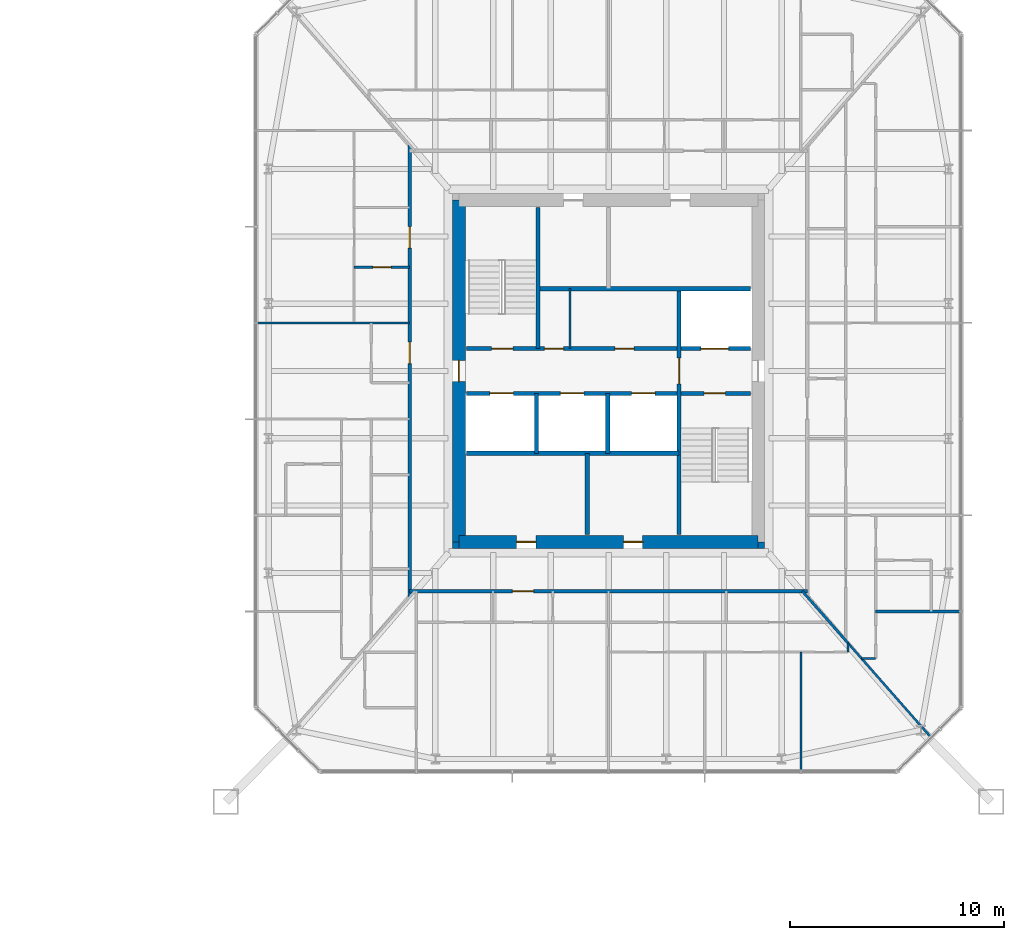
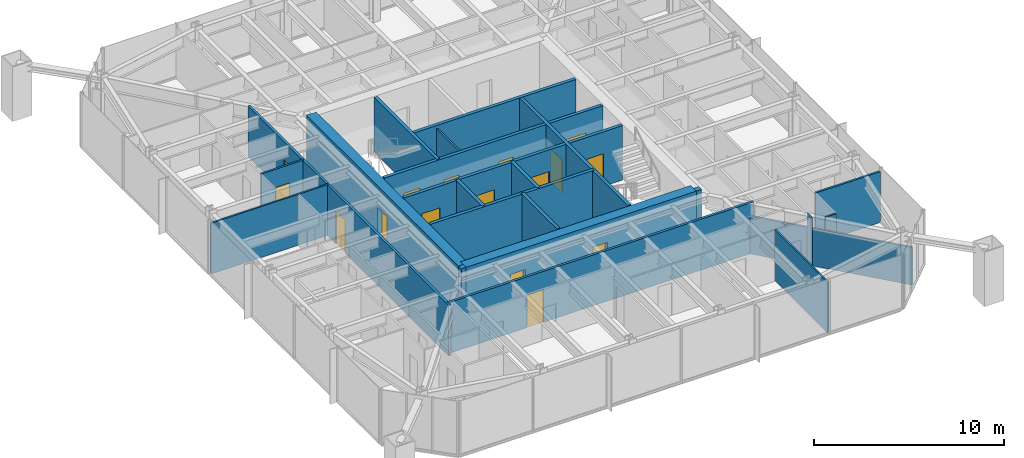
# One storey, part 19 of 26: 24 walls, 16 doors, 16 openings.
"""IFC4 building model written with IfcOpenShell, lengths in metres."""

from ifc_helpers import new_model, si_unit, direction, frame, frame_2d, origin, place, context, subcontext, project, spatial, rectangle, extrude, material, layer, layer_set, type_object, element, fill, save


model = new_model("IFC4")

# Units and contexts
model_context = context("Model", 3, precision=1e-05, world=origin(), true_north=direction((0.0, 1.0)))
body_context = subcontext(model_context, "Body", "Model", "MODEL_VIEW")
ifc_project = project(units=[si_unit("LENGTHUNIT", "METRE"), si_unit("AREAUNIT", "SQUARE_METRE"), si_unit("VOLUMEUNIT", "CUBIC_METRE"), si_unit("PLANEANGLEUNIT", "RADIAN"), si_unit("MASSUNIT", "GRAM", prefix="KILO")], contexts=[model_context])

# Site, building, storey
site_placement = place(None, origin())
site = spatial("IfcSite", under=ifc_project, at=site_placement, CompositionType="ELEMENT")
building_placement = place(site_placement, origin())
building = spatial("IfcBuilding", under=site, at=building_placement, Name="Iwan Alto Co-Living Towers", CompositionType="ELEMENT")
storey_placement = place(building_placement, frame((0.0, 0.0, 46.5)))
storey = spatial("IfcBuildingStorey", under=building, at=storey_placement, Name="L12", CompositionType="ELEMENT", Elevation=46.5)

# Wall, opening, door
ifc_material_1 = material(Name="Gypsum board")
ifc_layer_1 = layer(ifc_material_1, 0.02490234375, Name="Board", Category="Finish")
ifc_material_2 = material(Name="Steel ASTM A1003 ST33H cold-formed studs", Category="steel")
ifc_layer_2 = layer(ifc_material_2, 0.10009765625, Name="Studs", Category="Framing")
ifc_layer_3 = layer(ifc_material_1, 0.02490234375, Name="Board", Category="Finish")
ifc_layer_set_1 = layer_set([ifc_layer_1, ifc_layer_2, ifc_layer_3], Name="CORRIDOR WALL 150")
wall_type_1 = type_object("IfcWallType", Name="CORRIDOR WALL 150", PredefinedType="PARTITIONING", material=ifc_layer_set_1)
wall_1_placement = place(storey_placement, frame((53.699951171875, -10.300048828125, 0.0), z_axis=(0.0, 0.0, 1.0), x_axis=(1.0, 0.0, 0.0)))
wall_1 = element("IfcWall", 1, at=wall_1_placement, inside=storey, type_object=wall_type_1, Name="Partition L12", PredefinedType="PARTITIONING", context=body_context, shape_type="SweptSolid", body=[
    extrude(rectangle(XDim=18.60009765625, YDim=0.14990234375, at=frame_2d((9.300048828125, 0.0))), origin(), (0.0, 0.0, 1.0), 3.27001953125),
])
opening_1_placement = place(wall_1_placement, frame((4.800048828125, 0.0, 0.0)))
opening_1 = element("IfcOpeningElement", 2, at=opening_1_placement, cuts=wall_1, Name="Opening D3", PredefinedType="OPENING", context=body_context, shape_type="SweptSolid", body=[
    extrude(rectangle(XDim=1.0, YDim=2.10009765625, at=frame_2d((0.5, 1.050048828125))), frame((0.0, 0.0849609375, 0.0), z_axis=(0.0, -1.0, 0.0), x_axis=(1.0, 0.0, 0.0)), (0.0, 0.0, 1.0), 0.169921875),
])
ifc_material_3 = material(Name="Steel frame with timber leaf", Category="steel")
door_type_1 = type_object("IfcDoorType", Name="FLAT ENTRANCE DOOR FD30S 1000X2100", OperationType="SINGLE_SWING_LEFT", PredefinedType="DOOR", material=ifc_material_3)
door_1_placement = place(opening_1_placement, frame((1.0, 0.0, 0.0), z_axis=(0.0, 0.0, 1.0), x_axis=(-1.0, 0.0, 0.0)))
door_1 = element("IfcDoor", 3, at=door_1_placement, inside=storey, type_object=door_type_1, Name="Apartment foyer door L12", OperationType="SINGLE_SWING_RIGHT", OverallHeight=2.10009765625, OverallWidth=1.0, PredefinedType="DOOR", context=body_context, shape_type="SweptSolid", body=[
    extrude(rectangle(XDim=1.0, YDim=2.10009765625, at=frame_2d((0.5, 1.050048828125))), frame((0.0, 0.02490234375, 0.0), z_axis=(0.0, -1.0, 0.0), x_axis=(1.0, 0.0, 0.0)), (0.0, 0.0, 1.0), 0.050048828125),
])
fill(opening_1, door_1)

# Wall, openings, doors
wall_2_placement = place(storey_placement, frame((53.699951171875, -10.568115234375, 0.0), z_axis=(0.0, 0.0, 1.0), x_axis=(0.0, 1.0, 0.0)))
wall_2 = element("IfcWall", 4, at=wall_2_placement, inside=storey, type_object=wall_type_1, Name="Partition L12", PredefinedType="PARTITIONING", context=body_context, shape_type="SweptSolid", body=[
    extrude(rectangle(XDim=21.13623046875, YDim=0.14990234375, at=frame_2d((10.568115234375, 0.0))), origin(), (0.0, 0.0, 1.0), 3.27001953125),
])
opening_2_placement = place(wall_2_placement, frame((16.318115234375, 0.0, 0.0)))
opening_2 = element("IfcOpeningElement", 5, at=opening_2_placement, cuts=wall_2, Name="Opening D3", PredefinedType="OPENING", context=body_context, shape_type="SweptSolid", body=[
    extrude(rectangle(XDim=1.0, YDim=2.10009765625, at=frame_2d((0.5, 1.050048828125))), frame((0.0, 0.0849609375, 0.0), z_axis=(0.0, -1.0, 0.0), x_axis=(1.0, 0.0, 0.0)), (0.0, 0.0, 1.0), 0.169921875),
])
opening_3_placement = place(wall_2_placement, frame((10.91796875, 0.0, 0.0)))
opening_3 = element("IfcOpeningElement", 6, at=opening_3_placement, cuts=wall_2, Name="Opening D3", PredefinedType="OPENING", context=body_context, shape_type="SweptSolid", body=[
    extrude(rectangle(XDim=1.0, YDim=2.10009765625, at=frame_2d((0.5, 1.050048828125))), frame((0.0, 0.0849609375, 0.0), z_axis=(0.0, -1.0, 0.0), x_axis=(1.0, 0.0, 0.0)), (0.0, 0.0, 1.0), 0.169921875),
])
door_2_placement = place(opening_2_placement, origin())
door_2 = element("IfcDoor", 7, at=door_2_placement, inside=storey, type_object=door_type_1, Name="Apartment foyer door L12", OperationType="SINGLE_SWING_LEFT", OverallHeight=2.10009765625, OverallWidth=1.0, PredefinedType="DOOR", context=body_context, shape_type="SweptSolid", body=[
    extrude(rectangle(XDim=1.0, YDim=2.10009765625, at=frame_2d((0.5, 1.050048828125))), frame((0.0, 0.02490234375, 0.0), z_axis=(0.0, -1.0, 0.0), x_axis=(1.0, 0.0, 0.0)), (0.0, 0.0, 1.0), 0.050048828125),
])
fill(opening_2, door_2)
door_3_placement = place(opening_3_placement, origin())
door_3 = element("IfcDoor", 8, at=door_3_placement, inside=storey, type_object=door_type_1, Name="Apartment foyer door L12", OperationType="SINGLE_SWING_LEFT", OverallHeight=2.10009765625, OverallWidth=1.0, PredefinedType="DOOR", context=body_context, shape_type="SweptSolid", body=[
    extrude(rectangle(XDim=1.0, YDim=2.10009765625, at=frame_2d((0.5, 1.050048828125))), frame((0.0, 0.02490234375, 0.0), z_axis=(0.0, -1.0, 0.0), x_axis=(1.0, 0.0, 0.0)), (0.0, 0.0, 1.0), 0.050048828125),
])
fill(opening_3, door_3)

# Walls
ifc_layer_4 = layer(ifc_material_1, 0.012451171875, Name="Board", Category="Finish")
ifc_layer_5 = layer(ifc_material_2, 0.074951171875, Name="Studs", Category="Framing")
ifc_layer_6 = layer(ifc_material_1, 0.012451171875, Name="Board", Category="Finish")
ifc_layer_set_2 = layer_set([ifc_layer_4, ifc_layer_5, ifc_layer_6], Name="PARTITION 100")
wall_type_2 = type_object("IfcWallType", Name="PARTITION 100", PredefinedType="PARTITIONING", material=ifc_layer_set_2)
wall_3_placement = place(storey_placement, frame((74.8359375, -13.449951171875, 0.0), z_axis=(0.0, 0.0, 1.0), x_axis=(1.0, 0.0, 0.0)))
element("IfcWall", 9, at=wall_3_placement, inside=storey, type_object=wall_type_2, Name="Partition L12", PredefinedType="PARTITIONING", context=body_context, shape_type="SweptSolid", body=[
    extrude(rectangle(XDim=0.6640625, YDim=0.10009765625, at=frame_2d((0.33203125, 0.0))), origin(), (0.0, 0.0, 1.0), 3.27001953125),
])
wall_4_placement = place(storey_placement, frame((46.56005859375, 2.25, 0.0), z_axis=(0.0, 0.0, 1.0), x_axis=(1.0, 0.0, 0.0)))
element("IfcWall", 10, at=wall_4_placement, inside=storey, type_object=wall_type_2, Name="Partition L12", PredefinedType="PARTITIONING", context=body_context, shape_type="SweptSolid", body=[
    extrude(rectangle(XDim=7.139892578125, YDim=0.10009765625, at=frame_2d((3.56982421875, 0.0))), origin(), (0.0, 0.0, 1.0), 3.27001953125),
])
wall_5_placement = place(storey_placement, frame((74.199951171875, -13.14990234375, 0.0), z_axis=(0.0, 0.0, 1.0), x_axis=(0.0, 1.0, 0.0)))
element("IfcWall", 11, at=wall_5_placement, inside=storey, type_object=wall_type_2, Name="Partition L12", PredefinedType="PARTITIONING", context=body_context, shape_type="SweptSolid", body=[
    extrude(rectangle(XDim=0.4228515625, YDim=0.10009765625, at=frame_2d((0.21142578125, 0.0))), origin(), (0.0, 0.0, 1.0), 3.27001953125),
])
wall_6_placement = place(storey_placement, frame((72.0, -18.68994140625, 0.0), z_axis=(0.0, 0.0, 1.0), x_axis=(0.0, 1.0, 0.0)))
element("IfcWall", 12, at=wall_6_placement, inside=storey, type_object=wall_type_2, Name="Partition L12", PredefinedType="PARTITIONING", context=body_context, shape_type="SweptSolid", body=[
    extrude(rectangle(XDim=5.5400390625, YDim=0.10009765625, at=frame_2d((2.77001953125, 0.0))), origin(), (0.0, 0.0, 1.0), 3.27001953125),
])
wall_7_placement = place(storey_placement, frame((61.199951171875, 1.050048828125, 0.0), z_axis=(0.0, 0.0, 1.0), x_axis=(0.0, 1.0, 0.0)))
element("IfcWall", 13, at=wall_7_placement, inside=storey, type_object=wall_type_2, Name="Partition L12", PredefinedType="PARTITIONING", context=body_context, shape_type="SweptSolid", body=[
    extrude(rectangle(XDim=2.800048828125, YDim=0.10009765625, at=frame_2d((1.39990234375, 0.0))), origin(), (0.0, 0.0, 1.0), 3.300048828125),
])
wall_8_placement = place(storey_placement, frame((78.056884765625, -17.109130859375, 0.0), z_axis=(0.0, 0.0, 1.0), x_axis=(-0.660698595885, 0.750651294141, 0.0)))
element("IfcWall", 14, at=wall_8_placement, inside=storey, type_object=wall_type_2, Name="Partition L12", PredefinedType="PARTITIONING", context=body_context, shape_type="SweptSolid", body=[
    extrude(rectangle(XDim=5.838134765625, YDim=0.10009765625, at=frame_2d((2.9189453125, 0.0))), origin(), (0.0, 0.0, 1.0), 2.42919921875),
])
ifc_material_4 = material(Name="Concrete f'c 70 MPa", Category="concrete")
ifc_layer_7 = layer(ifc_material_4, 0.199951171875)
ifc_layer_set_3 = layer_set([ifc_layer_7], Name="SHAFT WALL 200")
wall_type_3 = type_object("IfcWallType", Name="SHAFT WALL 200", PredefinedType="SOLIDWALL", material=ifc_layer_set_3)
wall_9_placement = place(storey_placement, frame((56.360107421875, -3.85009765625, 0.0), z_axis=(0.0, 0.0, 1.0), x_axis=(1.0, 0.0, 0.0)))
element("IfcWall", 15, at=wall_9_placement, inside=storey, type_object=wall_type_3, Name="Shaft wall L12", PredefinedType="SOLIDWALL", context=body_context, shape_type="SweptSolid", body=[
    extrude(rectangle(XDim=9.93994140625, YDim=0.199951171875, at=frame_2d((4.969970703125, 0.0))), origin(), (0.0, 0.0, 1.0), 3.5),
])

# Wall, openings, doors
wall_10_placement = place(storey_placement, frame((56.360107421875, -1.050048828125, 0.0), z_axis=(0.0, 0.0, 1.0), x_axis=(1.0, 0.0, 0.0)))
wall_10 = element("IfcWall", 16, at=wall_10_placement, inside=storey, type_object=wall_type_3, Name="Shaft wall L12", PredefinedType="SOLIDWALL", context=body_context, shape_type="SweptSolid", body=[
    extrude(rectangle(XDim=13.27978515625, YDim=0.199951171875, at=frame_2d((6.639892578125, 0.0))), origin(), (0.0, 0.0, 1.0), 3.5),
])
opening_4_placement = place(wall_10_placement, frame((11.110107421875, 0.0, 0.0)))
opening_4 = element("IfcOpeningElement", 17, at=opening_4_placement, cuts=wall_10, Name="Opening D5", PredefinedType="OPENING", context=body_context, shape_type="SweptSolid", body=[
    extrude(rectangle(XDim=1.0, YDim=2.10009765625, at=frame_2d((0.5, 1.050048828125))), frame((0.0, 0.10986328125, 0.0), z_axis=(0.0, -1.0, 0.0), x_axis=(1.0, 0.0, 0.0)), (0.0, 0.0, 1.0), 0.219970703125),
])
opening_5_placement = place(wall_10_placement, frame((1.0869140625, 0.0, 0.0)))
opening_5 = element("IfcOpeningElement", 18, at=opening_5_placement, cuts=wall_10, Name="Opening LD", PredefinedType="OPENING", context=body_context, shape_type="SweptSolid", body=[
    extrude(rectangle(XDim=1.10009765625, YDim=2.10009765625, at=frame_2d((0.550048828125, 1.050048828125))), frame((0.0, 0.10986328125, 0.0), z_axis=(0.0, -1.0, 0.0), x_axis=(1.0, 0.0, 0.0)), (0.0, 0.0, 1.0), 0.219970703125),
])
opening_6_placement = place(wall_10_placement, frame((4.389892578125, 0.0, 0.0)))
opening_6 = element("IfcOpeningElement", 19, at=opening_6_placement, cuts=wall_10, Name="Opening LD", PredefinedType="OPENING", context=body_context, shape_type="SweptSolid", body=[
    extrude(rectangle(XDim=1.10009765625, YDim=2.10009765625, at=frame_2d((0.550048828125, 1.050048828125))), frame((0.0, 0.10986328125, 0.0), z_axis=(0.0, -1.0, 0.0), x_axis=(1.0, 0.0, 0.0)), (0.0, 0.0, 1.0), 0.219970703125),
])
opening_7_placement = place(wall_10_placement, frame((7.72412109375, 0.0, 0.0)))
opening_7 = element("IfcOpeningElement", 20, at=opening_7_placement, cuts=wall_10, Name="Opening LD", PredefinedType="OPENING", context=body_context, shape_type="SweptSolid", body=[
    extrude(rectangle(XDim=1.10009765625, YDim=2.10009765625, at=frame_2d((0.550048828125, 1.050048828125))), frame((0.0, 0.10986328125, 0.0), z_axis=(0.0, -1.0, 0.0), x_axis=(1.0, 0.0, 0.0)), (0.0, 0.0, 1.0), 0.219970703125),
])
ifc_material_5 = material(Name="Steel frame with timber leaf", Category="steel")
door_type_2 = type_object("IfcDoorType", Name="LIFT LANDING DOOR 1100X2100", OperationType="DOUBLE_DOOR_SLIDING", PredefinedType="DOOR", material=ifc_material_5)
door_4_placement = place(opening_5_placement, origin())
door_4 = element("IfcDoor", 21, at=door_4_placement, inside=storey, type_object=door_type_2, Name="Lift P5-1 landing door L12", OperationType="DOUBLE_DOOR_SLIDING", OverallHeight=2.10009765625, OverallWidth=1.10009765625, PredefinedType="DOOR", context=body_context, shape_type="SweptSolid", body=[
    extrude(rectangle(XDim=1.10009765625, YDim=2.10009765625, at=frame_2d((0.550048828125, 1.050048828125))), frame((0.0, 0.02490234375, 0.0), z_axis=(0.0, -1.0, 0.0), x_axis=(1.0, 0.0, 0.0)), (0.0, 0.0, 1.0), 0.050048828125),
])
fill(opening_5, door_4)
door_5_placement = place(opening_6_placement, origin())
door_5 = element("IfcDoor", 22, at=door_5_placement, inside=storey, type_object=door_type_2, Name="Lift P5-2 landing door L12", OperationType="DOUBLE_DOOR_SLIDING", OverallHeight=2.10009765625, OverallWidth=1.10009765625, PredefinedType="DOOR", context=body_context, shape_type="SweptSolid", body=[
    extrude(rectangle(XDim=1.10009765625, YDim=2.10009765625, at=frame_2d((0.550048828125, 1.050048828125))), frame((0.0, 0.02490234375, 0.0), z_axis=(0.0, -1.0, 0.0), x_axis=(1.0, 0.0, 0.0)), (0.0, 0.0, 1.0), 0.050048828125),
])
fill(opening_6, door_5)
door_6_placement = place(opening_7_placement, origin())
door_6 = element("IfcDoor", 23, at=door_6_placement, inside=storey, type_object=door_type_2, Name="Lift P6-3 landing door L12", OperationType="DOUBLE_DOOR_SLIDING", OverallHeight=2.10009765625, OverallWidth=1.10009765625, PredefinedType="DOOR", context=body_context, shape_type="SweptSolid", body=[
    extrude(rectangle(XDim=1.10009765625, YDim=2.10009765625, at=frame_2d((0.550048828125, 1.050048828125))), frame((0.0, 0.02490234375, 0.0), z_axis=(0.0, -1.0, 0.0), x_axis=(1.0, 0.0, 0.0)), (0.0, 0.0, 1.0), 0.050048828125),
])
fill(opening_7, door_6)
ifc_material_6 = material(Name="Steel frame with timber leaf", Category="steel")
door_type_3 = type_object("IfcDoorType", Name="STAIR DOOR FD120S 1000X2100", OperationType="SINGLE_SWING_LEFT", PredefinedType="DOOR", material=ifc_material_6)
door_7_placement = place(opening_4_placement, frame((1.0, 0.0, 0.0), z_axis=(0.0, 0.0, 1.0), x_axis=(-1.0, 0.0, 0.0)))
door_7 = element("IfcDoor", 24, at=door_7_placement, inside=storey, type_object=door_type_3, Name="Stair S2 door L12", OperationType="SINGLE_SWING_RIGHT", OverallHeight=2.10009765625, OverallWidth=1.0, PredefinedType="DOOR", context=body_context, shape_type="SweptSolid", body=[
    extrude(rectangle(XDim=1.0, YDim=2.10009765625, at=frame_2d((0.5, 1.050048828125))), frame((0.0, 0.02490234375, 0.0), z_axis=(0.0, -1.0, 0.0), x_axis=(1.0, 0.0, 0.0)), (0.0, 0.0, 1.0), 0.050048828125),
])
fill(opening_4, door_7)

wall_11_placement = place(storey_placement, frame((56.360107421875, 1.050048828125, 0.0), z_axis=(0.0, 0.0, 1.0), x_axis=(1.0, 0.0, 0.0)))
wall_11 = element("IfcWall", 25, at=wall_11_placement, inside=storey, type_object=wall_type_3, Name="Shaft wall L12", PredefinedType="SOLIDWALL", context=body_context, shape_type="SweptSolid", body=[
    extrude(rectangle(XDim=13.27978515625, YDim=0.199951171875, at=frame_2d((6.639892578125, 0.0))), origin(), (0.0, 0.0, 1.0), 3.5),
])
opening_8_placement = place(wall_11_placement, frame((1.169921875, 0.0, 0.0)))
opening_8 = element("IfcOpeningElement", 26, at=opening_8_placement, cuts=wall_11, Name="Opening D5", PredefinedType="OPENING", context=body_context, shape_type="SweptSolid", body=[
    extrude(rectangle(XDim=1.0, YDim=2.10009765625, at=frame_2d((0.5, 1.050048828125))), frame((0.0, 0.10986328125, 0.0), z_axis=(0.0, -1.0, 0.0), x_axis=(1.0, 0.0, 0.0)), (0.0, 0.0, 1.0), 0.219970703125),
])
opening_9_placement = place(wall_11_placement, frame((6.93994140625, 0.0, 0.0)))
opening_9 = element("IfcOpeningElement", 27, at=opening_9_placement, cuts=wall_11, Name="Opening D8", PredefinedType="OPENING", context=body_context, shape_type="SweptSolid", body=[
    extrude(rectangle(XDim=0.89990234375, YDim=2.10009765625, at=frame_2d((0.449951171875, 1.050048828125))), frame((0.0, 0.10986328125, 0.0), z_axis=(0.0, -1.0, 0.0), x_axis=(1.0, 0.0, 0.0)), (0.0, 0.0, 1.0), 0.219970703125),
])
opening_10_placement = place(wall_11_placement, frame((3.639892578125, 0.0, 0.0)))
opening_10 = element("IfcOpeningElement", 28, at=opening_10_placement, cuts=wall_11, Name="Opening D15", PredefinedType="OPENING", context=body_context, shape_type="SweptSolid", body=[
    extrude(rectangle(XDim=0.89990234375, YDim=2.10009765625, at=frame_2d((0.449951171875, 1.050048828125))), frame((0.0, 0.10986328125, 0.0), z_axis=(0.0, -1.0, 0.0), x_axis=(1.0, 0.0, 0.0)), (0.0, 0.0, 1.0), 0.219970703125),
])
opening_11_placement = place(wall_11_placement, frame((10.9599609375, 0.0, 0.0)))
opening_11 = element("IfcOpeningElement", 29, at=opening_11_placement, cuts=wall_11, Name="Opening LD2", PredefinedType="OPENING", context=body_context, shape_type="SweptSolid", body=[
    extrude(rectangle(XDim=1.300048828125, YDim=2.10009765625, at=frame_2d((0.64990234375, 1.050048828125))), frame((0.0, 0.10986328125, 0.0), z_axis=(0.0, -1.0, 0.0), x_axis=(1.0, 0.0, 0.0)), (0.0, 0.0, 1.0), 0.219970703125),
])
ifc_material_7 = material(Name="Steel frame with timber leaf", Category="steel")
door_type_4 = type_object("IfcDoorType", Name="CORE ROOM DOOR FD60S 900X2100", OperationType="SINGLE_SWING_LEFT", PredefinedType="DOOR", material=ifc_material_7)
door_8_placement = place(opening_10_placement, origin())
door_8 = element("IfcDoor", 30, at=door_8_placement, inside=storey, type_object=door_type_4, Name="Cleaner's store door L12", OperationType="SINGLE_SWING_LEFT", OverallHeight=2.10009765625, OverallWidth=0.89990234375, PredefinedType="DOOR", context=body_context, shape_type="SweptSolid", body=[
    extrude(rectangle(XDim=0.89990234375, YDim=2.10009765625, at=frame_2d((0.449951171875, 1.050048828125))), frame((0.0, 0.02490234375, 0.0), z_axis=(0.0, -1.0, 0.0), x_axis=(1.0, 0.0, 0.0)), (0.0, 0.0, 1.0), 0.050048828125),
])
fill(opening_10, door_8)
ifc_material_8 = material(Name="Steel frame with timber leaf", Category="steel")
door_type_5 = type_object("IfcDoorType", Name="LIFT LANDING DOOR 1300X2100", OperationType="SLIDING_TO_LEFT", PredefinedType="DOOR", material=ifc_material_8)
door_9_placement = place(opening_11_placement, origin())
door_9 = element("IfcDoor", 31, at=door_9_placement, inside=storey, type_object=door_type_5, Name="Lift FL2 landing door L12", OperationType="SLIDING_TO_LEFT", OverallHeight=2.10009765625, OverallWidth=1.300048828125, PredefinedType="DOOR", context=body_context, shape_type="SweptSolid", body=[
    extrude(rectangle(XDim=1.300048828125, YDim=2.10009765625, at=frame_2d((0.64990234375, 1.050048828125))), frame((0.0, 0.02490234375, 0.0), z_axis=(0.0, -1.0, 0.0), x_axis=(1.0, 0.0, 0.0)), (0.0, 0.0, 1.0), 0.050048828125),
])
fill(opening_11, door_9)
ifc_material_9 = material(Name="Steel frame with timber leaf", Category="steel")
door_type_6 = type_object("IfcDoorType", Name="RISER DOOR FD120 900X2100", OperationType="SINGLE_SWING_LEFT", PredefinedType="DOOR", material=ifc_material_9)
door_10_placement = place(opening_9_placement, origin())
door_10 = element("IfcDoor", 32, at=door_10_placement, inside=storey, type_object=door_type_6, Name="Riser room door L12", OperationType="SINGLE_SWING_LEFT", OverallHeight=2.10009765625, OverallWidth=0.89990234375, PredefinedType="DOOR", context=body_context, shape_type="SweptSolid", body=[
    extrude(rectangle(XDim=0.89990234375, YDim=2.10009765625, at=frame_2d((0.449951171875, 1.050048828125))), frame((0.0, 0.02490234375, 0.0), z_axis=(0.0, -1.0, 0.0), x_axis=(1.0, 0.0, 0.0)), (0.0, 0.0, 1.0), 0.050048828125),
])
fill(opening_9, door_10)
door_11_placement = place(opening_8_placement, origin())
door_11 = element("IfcDoor", 33, at=door_11_placement, inside=storey, type_object=door_type_3, Name="Stair S1 door L12", OperationType="SINGLE_SWING_RIGHT", OverallHeight=2.10009765625, OverallWidth=1.0, PredefinedType="DOOR", context=body_context, shape_type="SweptSolid", body=[
    extrude(rectangle(XDim=1.0, YDim=2.10009765625, at=frame_2d((0.5, 1.050048828125))), frame((0.0, 0.02490234375, 0.0), z_axis=(0.0, -1.0, 0.0), x_axis=(1.0, 0.0, 0.0)), (0.0, 0.0, 1.0), 0.050048828125),
])
fill(opening_8, door_11)

# Wall
wall_12_placement = place(storey_placement, frame((59.699951171875, 3.85009765625, 0.0), z_axis=(0.0, 0.0, 1.0), x_axis=(1.0, 0.0, 0.0)))
element("IfcWall", 34, at=wall_12_placement, inside=storey, type_object=wall_type_3, Name="Shaft wall L12", PredefinedType="SOLIDWALL", context=body_context, shape_type="SweptSolid", body=[
    extrude(rectangle(XDim=9.93994140625, YDim=0.199951171875, at=frame_2d((4.969970703125, 0.0))), origin(), (0.0, 0.0, 1.0), 3.5),
])

# Wall, opening, door
wall_13_placement = place(storey_placement, frame((66.300048828125, -7.639892578125, 0.0), z_axis=(0.0, 0.0, 1.0), x_axis=(0.0, 1.0, 0.0)))
wall_13 = element("IfcWall", 35, at=wall_13_placement, inside=storey, type_object=wall_type_3, Name="Shaft wall L12", PredefinedType="SOLIDWALL", context=body_context, shape_type="SweptSolid", body=[
    extrude(rectangle(XDim=11.489990234375, YDim=0.199951171875, at=frame_2d((5.7451171875, 0.0))), origin(), (0.0, 0.0, 1.0), 3.5),
])
opening_12_placement = place(wall_13_placement, frame((7.0400390625, 0.0, 0.0)))
opening_12 = element("IfcOpeningElement", 36, at=opening_12_placement, cuts=wall_13, Name="Opening D6", PredefinedType="OPENING", context=body_context, shape_type="SweptSolid", body=[
    extrude(rectangle(XDim=1.199951171875, YDim=2.10009765625, at=frame_2d((0.60009765625, 1.050048828125))), frame((0.0, 0.10986328125, 0.0), z_axis=(0.0, -1.0, 0.0), x_axis=(1.0, 0.0, 0.0)), (0.0, 0.0, 1.0), 0.219970703125),
])
ifc_material_10 = material(Name="Steel frame with timber leaf", Category="steel")
door_type_7 = type_object("IfcDoorType", Name="LOBBY DOOR FD120S 1200X2100", OperationType="SINGLE_SWING_LEFT", PredefinedType="DOOR", material=ifc_material_10)
door_12_placement = place(opening_12_placement, frame((1.199951171875, 0.0, 0.0), z_axis=(0.0, 0.0, 1.0), x_axis=(-1.0, 0.0, 0.0)))
door_12 = element("IfcDoor", 37, at=door_12_placement, inside=storey, type_object=door_type_7, Name="Firefighting lobby door L12", OperationType="SINGLE_SWING_RIGHT", OverallHeight=2.10009765625, OverallWidth=1.199951171875, PredefinedType="DOOR", context=body_context, shape_type="SweptSolid", body=[
    extrude(rectangle(XDim=1.199951171875, YDim=2.10009765625, at=frame_2d((0.60009765625, 1.050048828125))), frame((0.0, 0.02490234375, 0.0), z_axis=(0.0, -1.0, 0.0), x_axis=(1.0, 0.0, 0.0)), (0.0, 0.0, 1.0), 0.050048828125),
])
fill(opening_12, door_12)

# Walls
wall_14_placement = place(storey_placement, frame((62.967041015625, -3.85009765625, 0.0), z_axis=(0.0, 0.0, 1.0), x_axis=(0.0, 1.0, 0.0)))
element("IfcWall", 38, at=wall_14_placement, inside=storey, type_object=wall_type_3, Name="Shaft wall L12", PredefinedType="SOLIDWALL", context=body_context, shape_type="SweptSolid", body=[
    extrude(rectangle(XDim=2.800048828125, YDim=0.199951171875, at=frame_2d((1.39990234375, 0.0))), origin(), (0.0, 0.0, 1.0), 3.5),
])
wall_15_placement = place(storey_placement, frame((62.0, -7.639892578125, 0.0), z_axis=(0.0, 0.0, 1.0), x_axis=(0.0, 1.0, 0.0)))
element("IfcWall", 39, at=wall_15_placement, inside=storey, type_object=wall_type_3, Name="Shaft wall L12", PredefinedType="SOLIDWALL", context=body_context, shape_type="SweptSolid", body=[
    extrude(rectangle(XDim=3.789794921875, YDim=0.199951171875, at=frame_2d((1.89501953125, 0.0))), origin(), (0.0, 0.0, 1.0), 3.5),
])
wall_16_placement = place(storey_placement, frame((59.699951171875, 1.050048828125, 0.0), z_axis=(0.0, 0.0, 1.0), x_axis=(0.0, 1.0, 0.0)))
element("IfcWall", 40, at=wall_16_placement, inside=storey, type_object=wall_type_3, Name="Shaft wall L12", PredefinedType="SOLIDWALL", context=body_context, shape_type="SweptSolid", body=[
    extrude(rectangle(XDim=6.58984375, YDim=0.199951171875, at=frame_2d((3.294921875, 0.0))), origin(), (0.0, 0.0, 1.0), 3.5),
])
wall_17_placement = place(storey_placement, frame((59.633056640625, -3.85009765625, 0.0), z_axis=(0.0, 0.0, 1.0), x_axis=(0.0, 1.0, 0.0)))
element("IfcWall", 41, at=wall_17_placement, inside=storey, type_object=wall_type_3, Name="Shaft wall L12", PredefinedType="SOLIDWALL", context=body_context, shape_type="SweptSolid", body=[
    extrude(rectangle(XDim=2.800048828125, YDim=0.199951171875, at=frame_2d((1.39990234375, 0.0))), origin(), (0.0, 0.0, 1.0), 3.5),
])
ifc_material_11 = material(Name="Concrete f'c 70 MPa", Category="concrete")
ifc_layer_8 = layer(ifc_material_11, 0.300048828125)
ifc_layer_set_4 = layer_set([ifc_layer_8], Name="T2 CORE CORNER FILL 300")
wall_type_4 = type_object("IfcWallType", Name="T2 CORE CORNER FILL 300", PredefinedType="SOLIDWALL", material=ifc_layer_set_4)
for number, where, z_axis, x_axis, name in (
    (42, (55.699951171875, -8.14990234375, 0.0), (0.0, 0.0, 1.0), (1.0, 0.0, 0.0), "T2 core corner SW L12"),
    (43, (70.0, -8.14990234375, 0.0), (0.0, 0.0, 1.0), (1.0, 0.0, 0.0), "T2 core corner SE L12"),
):
    element("IfcWall", number, at=place(storey_placement, frame(where, z_axis=z_axis, x_axis=x_axis)), inside=storey, type_object=wall_type_4, Name=name, PredefinedType="SOLIDWALL", context=body_context, shape_type="SweptSolid", body=[
        extrude(rectangle(XDim=0.300048828125, YDim=0.300048828125, at=frame_2d((0.14990234375, 0.0))), origin(), (0.0, 0.0, 1.0), 3.5),
    ])

# Wall, openings, doors
ifc_material_12 = material(Name="Concrete f'c 70 MPa", Category="concrete")
ifc_layer_9 = layer(ifc_material_12, 0.60009765625)
ifc_layer_set_5 = layer_set([ifc_layer_9], Name="T2 CORE WALL 600")
wall_type_5 = type_object("IfcWallType", Name="T2 CORE WALL 600", PredefinedType="SHEAR", material=ifc_layer_set_5)
wall_18_placement = place(storey_placement, frame((56.0, -8.0, 0.0), z_axis=(0.0, 0.0, 1.0), x_axis=(1.0, 0.0, 0.0)))
wall_18 = element("IfcWall", 44, at=wall_18_placement, inside=storey, type_object=wall_type_5, Name="T2 core wall S L12", PredefinedType="SHEAR", context=body_context, shape_type="SweptSolid", body=[
    extrude(rectangle(XDim=14.0, YDim=0.60009765625, at=frame_2d((7.0, 0.0))), origin(), (0.0, 0.0, 1.0), 3.5),
])
opening_13_placement = place(wall_18_placement, frame((2.699951171875, 0.0, 0.0)))
opening_13 = element("IfcOpeningElement", 45, at=opening_13_placement, cuts=wall_18, Name="Opening D8", PredefinedType="OPENING", context=body_context, shape_type="SweptSolid", body=[
    extrude(rectangle(XDim=0.89990234375, YDim=2.10009765625, at=frame_2d((0.449951171875, 1.050048828125))), frame((0.0, 0.31005859375, 0.0), z_axis=(0.0, -1.0, 0.0), x_axis=(1.0, 0.0, 0.0)), (0.0, 0.0, 1.0), 0.6201171875),
])
opening_14_placement = place(wall_18_placement, frame((7.699951171875, 0.0, 0.0)))
opening_14 = element("IfcOpeningElement", 46, at=opening_14_placement, cuts=wall_18, Name="Opening D8", PredefinedType="OPENING", context=body_context, shape_type="SweptSolid", body=[
    extrude(rectangle(XDim=0.89990234375, YDim=2.10009765625, at=frame_2d((0.449951171875, 1.050048828125))), frame((0.0, 0.31005859375, 0.0), z_axis=(0.0, -1.0, 0.0), x_axis=(1.0, 0.0, 0.0)), (0.0, 0.0, 1.0), 0.6201171875),
])
door_13_placement = place(opening_13_placement, origin())
door_13 = element("IfcDoor", 47, at=door_13_placement, inside=storey, type_object=door_type_6, Name="Refuse room core door L12", OperationType="SINGLE_SWING_LEFT", OverallHeight=2.10009765625, OverallWidth=0.89990234375, PredefinedType="DOOR", context=body_context, shape_type="SweptSolid", body=[
    extrude(rectangle(XDim=0.89990234375, YDim=2.10009765625, at=frame_2d((0.449951171875, 1.050048828125))), frame((0.0, 0.02490234375, 0.0), z_axis=(0.0, -1.0, 0.0), x_axis=(1.0, 0.0, 0.0)), (0.0, 0.0, 1.0), 0.050048828125),
])
fill(opening_13, door_13)
door_14_placement = place(opening_14_placement, origin())
door_14 = element("IfcDoor", 48, at=door_14_placement, inside=storey, type_object=door_type_6, Name="Telecom riser core door L12", OperationType="SINGLE_SWING_LEFT", OverallHeight=2.10009765625, OverallWidth=0.89990234375, PredefinedType="DOOR", context=body_context, shape_type="SweptSolid", body=[
    extrude(rectangle(XDim=0.89990234375, YDim=2.10009765625, at=frame_2d((0.449951171875, 1.050048828125))), frame((0.0, 0.02490234375, 0.0), z_axis=(0.0, -1.0, 0.0), x_axis=(1.0, 0.0, 0.0)), (0.0, 0.0, 1.0), 0.050048828125),
])
fill(opening_14, door_14)

# Wall, opening, door
wall_19_placement = place(storey_placement, frame((56.0, 8.0, 0.0), z_axis=(0.0, 0.0, 1.0), x_axis=(0.0, -1.0, 0.0)))
wall_19 = element("IfcWall", 49, at=wall_19_placement, inside=storey, type_object=wall_type_5, Name="T2 core wall W L12", PredefinedType="SHEAR", context=body_context, shape_type="SweptSolid", body=[
    extrude(rectangle(XDim=16.0, YDim=0.60009765625, at=frame_2d((8.0, 0.0))), origin(), (0.0, 0.0, 1.0), 3.5),
])
opening_15_placement = place(wall_19_placement, frame((7.5, 0.0, 0.0)))
opening_15 = element("IfcOpeningElement", 50, at=opening_15_placement, cuts=wall_19, Name="Opening D7", PredefinedType="OPENING", context=body_context, shape_type="SweptSolid", body=[
    extrude(rectangle(XDim=1.0, YDim=2.10009765625, at=frame_2d((0.5, 1.050048828125))), frame((0.0, 0.31005859375, 0.0), z_axis=(0.0, -1.0, 0.0), x_axis=(1.0, 0.0, 0.0)), (0.0, 0.0, 1.0), 0.6201171875),
])
ifc_material_13 = material(Name="Steel frame with timber leaf", Category="steel")
door_type_8 = type_object("IfcDoorType", Name="CORE DOOR FD120S 1000X2100", OperationType="SINGLE_SWING_LEFT", PredefinedType="DOOR", material=ifc_material_13)
door_15_placement = place(opening_15_placement, origin())
door_15 = element("IfcDoor", 51, at=door_15_placement, inside=storey, type_object=door_type_8, Name="Lift lobby core door L12", OperationType="SINGLE_SWING_RIGHT", OverallHeight=2.10009765625, OverallWidth=1.0, PredefinedType="DOOR", context=body_context, shape_type="SweptSolid", body=[
    extrude(rectangle(XDim=1.0, YDim=2.10009765625, at=frame_2d((0.5, 1.050048828125))), frame((0.0, 0.02490234375, 0.0), z_axis=(0.0, -1.0, 0.0), x_axis=(1.0, 0.0, 0.0)), (0.0, 0.0, 1.0), 0.050048828125),
])
fill(opening_15, door_15)

# Wall
ifc_material_14 = material(Name="Cement board")
ifc_layer_10 = layer(ifc_material_14, 0.012451171875, Name="Board", Category="Finish")
ifc_layer_11 = layer(ifc_material_2, 0.094970703125, Name="Studs", Category="Framing")
ifc_layer_12 = layer(ifc_material_14, 0.012451171875, Name="Board", Category="Finish")
ifc_layer_set_6 = layer_set([ifc_layer_10, ifc_layer_11, ifc_layer_12], Name="WET AREA PARTITION 120")
wall_type_6 = type_object("IfcWallType", Name="WET AREA PARTITION 120", PredefinedType="PARTITIONING", material=ifc_layer_set_6)
wall_20_placement = place(storey_placement, frame((75.5, -11.25, 0.0), z_axis=(0.0, 0.0, 1.0), x_axis=(1.0, 0.0, 0.0)))
element("IfcWall", 52, at=wall_20_placement, inside=storey, type_object=wall_type_6, Name="Partition L12", PredefinedType="PARTITIONING", context=body_context, shape_type="SweptSolid", body=[
    extrude(rectangle(XDim=3.93994140625, YDim=0.1201171875, at=frame_2d((1.969970703125, 0.0))), origin(), (0.0, 0.0, 1.0), 3.27001953125),
])

# Wall, opening, door
wall_21_placement = place(storey_placement, frame((51.10009765625, 4.85009765625, 0.0), z_axis=(0.0, 0.0, 1.0), x_axis=(1.0, 0.0, 0.0)))
wall_21 = element("IfcWall", 53, at=wall_21_placement, inside=storey, type_object=wall_type_6, Name="Partition L12", PredefinedType="PARTITIONING", context=body_context, shape_type="SweptSolid", body=[
    extrude(rectangle(XDim=2.599853515625, YDim=0.1201171875, at=frame_2d((1.2998046875, 0.0))), origin(), (0.0, 0.0, 1.0), 3.27001953125),
])
opening_16_placement = place(wall_21_placement, frame((0.875, 0.0, 0.0)))
opening_16 = element("IfcOpeningElement", 54, at=opening_16_placement, cuts=wall_21, Name="Opening D2", PredefinedType="OPENING", context=body_context, shape_type="SweptSolid", body=[
    extrude(rectangle(XDim=0.85009765625, YDim=2.10009765625, at=frame_2d((0.425048828125, 1.050048828125))), frame((0.0, 0.070068359375, 0.0), z_axis=(0.0, -1.0, 0.0), x_axis=(1.0, 0.0, 0.0)), (0.0, 0.0, 1.0), 0.14013671875),
])
ifc_material_15 = material(Name="Timber leaf in steel frame", Category="steel")
door_type_9 = type_object("IfcDoorType", Name="ROOM DOOR 850X2100", OperationType="SINGLE_SWING_LEFT", PredefinedType="DOOR", material=ifc_material_15)
door_16_placement = place(opening_16_placement, frame((0.85009765625, 0.0, 0.0), z_axis=(0.0, 0.0, 1.0), x_axis=(-1.0, 0.0, 0.0)))
door_16 = element("IfcDoor", 55, at=door_16_placement, inside=storey, type_object=door_type_9, Name="Bathroom door L12", OperationType="SINGLE_SWING_RIGHT", OverallHeight=2.10009765625, OverallWidth=0.85009765625, PredefinedType="DOOR", context=body_context, shape_type="SweptSolid", body=[
    extrude(rectangle(XDim=0.85009765625, YDim=2.10009765625, at=frame_2d((0.425048828125, 1.050048828125))), frame((0.0, 0.02490234375, 0.0), z_axis=(0.0, -1.0, 0.0), x_axis=(1.0, 0.0, 0.0)), (0.0, 0.0, 1.0), 0.050048828125),
])
fill(opening_16, door_16)

# Wall
wall_22_placement = place(storey_placement, frame((74.199951171875, -12.72705078125, 0.0), z_axis=(0.0, 0.0, 1.0), x_axis=(-0.660667046586, 0.75067906162, 0.0)))
element("IfcWall", 56, at=wall_22_placement, inside=storey, type_object=wall_type_6, Name="Partition L12", PredefinedType="PARTITIONING", context=body_context, shape_type="SweptSolid", body=[
    extrude(rectangle(XDim=3.233154296875, YDim=0.1201171875, at=frame_2d((1.61669921875, 0.0))), origin(), (0.0, 0.0, 1.0), 2.42919921875),
])

save(model, "model.ifc")
